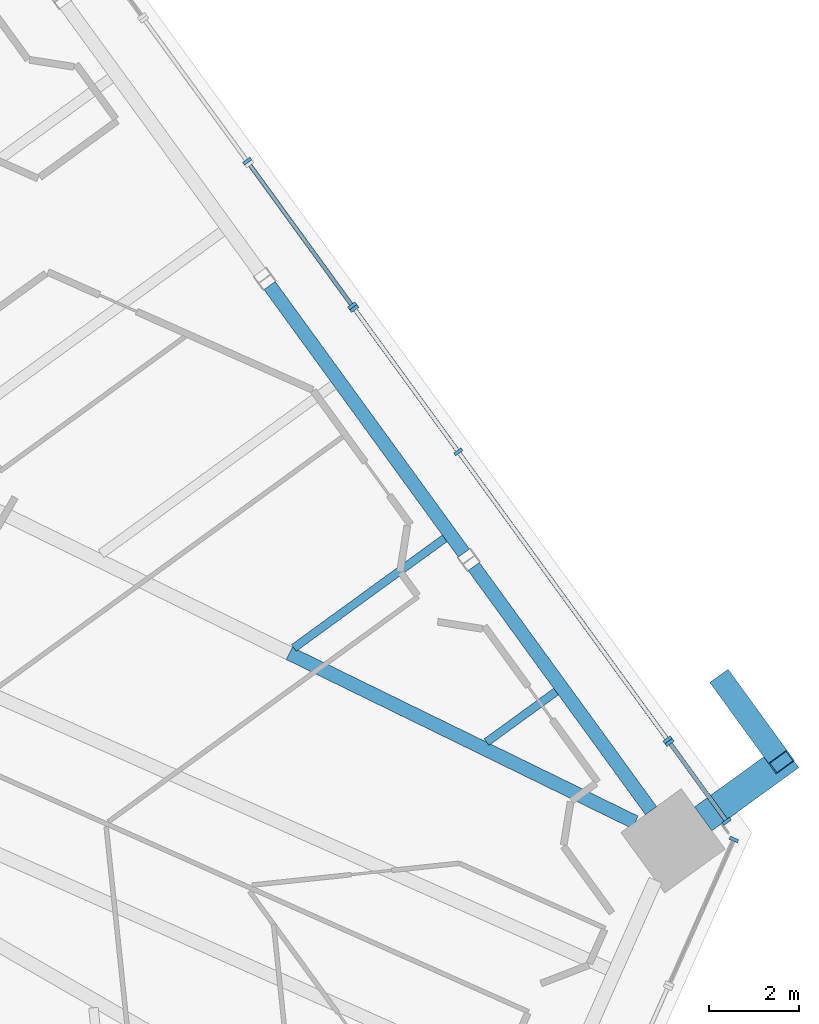
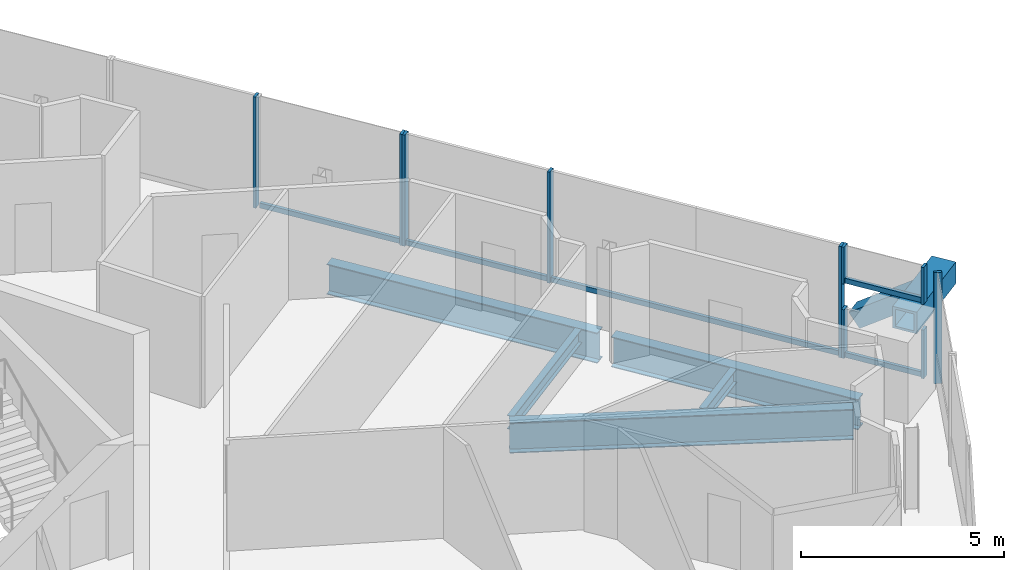
# One storey, part 8 of 26: 17 members, 5 beams, 6 elements without a shape of their own.
"""IFC4 building model written with IfcOpenShell, lengths in metres."""

from ifc_helpers import new_model, si_unit, direction, frame, origin, origin_2d, place, context, subcontext, project, spatial, rectangle, hollow_rectangle, i_section, extrude, source, transform, mapped, material, material_profile, profile_set, type_object, element, aggregate, save


model = new_model("IFC4")

# Units and contexts
model_context = context("Model", 3, precision=1e-05, world=origin(), true_north=direction((0.0, 1.0)))
body_context = subcontext(model_context, "Body", "Model", "MODEL_VIEW")
ifc_project = project(units=[si_unit("LENGTHUNIT", "METRE"), si_unit("AREAUNIT", "SQUARE_METRE"), si_unit("VOLUMEUNIT", "CUBIC_METRE"), si_unit("PLANEANGLEUNIT", "RADIAN"), si_unit("MASSUNIT", "GRAM", prefix="KILO")], contexts=[model_context])

# Site, building, storey
site_placement = place(None, origin())
site = spatial("IfcSite", under=ifc_project, at=site_placement, CompositionType="ELEMENT")
building_placement = place(site_placement, origin())
building = spatial("IfcBuilding", under=site, at=building_placement, Name="Triune Harvest Tower", CompositionType="ELEMENT")
storey_placement = place(building_placement, frame((0.0, 0.0, 252.10009765625)))
storey = spatial("IfcBuildingStorey", under=building, at=storey_placement, Name="L66", CompositionType="ELEMENT", Elevation=252.10009765625)

# Curtain wall, members
ifc_material_1 = material(Name="Aluminium bronze anodised", Category="aluminium")
curtain_wall_type_1 = type_object("IfcCurtainWallType", Name="CW-10 Balcony window wall with insulated spandrel infill", PredefinedType="NOTDEFINED", material=ifc_material_1)
curtain_wall_1_placement = place(storey_placement, origin())
curtain_wall_1 = element("IfcCurtainWall", 1, at=curtain_wall_1_placement, inside=storey, type_object=curtain_wall_type_1, Name="CW-10 B6-F1 L66 run 201")
ifc_material_2 = material(Name="Aluminium bronze anodised", Category="aluminium")
ifc_material_profile_1 = material_profile(ifc_material_2, rectangle(XDim=0.090087890625, YDim=0.14990234375, at=origin_2d()), Name="TR-6 transom 90 x 150")
ifc_profile_set_1 = profile_set([ifc_material_profile_1], Name="Aluminium bronze anodised")
member_type_1 = type_object("IfcMemberType", Name="TR-6 transom 90 x 150", PredefinedType="USERDEFINED", material=ifc_profile_set_1)
member_1_placement = place(storey_placement, frame((28.598388671875, -5.330322265625, 0.074951171875), z_axis=(-0.587791662922, 0.809012336741, 0.0), x_axis=(-0.809012336741, -0.587791662922, 0.0)))
member_1 = element("IfcMember", 2, at=member_1_placement, type_object=member_type_1, Name="CW-10 transom B6-F1 201.1", ObjectType="TRANSOM", PredefinedType="USERDEFINED", context=body_context, shape_type="SweptSolid", body=[
    extrude(rectangle(XDim=0.090087890625, YDim=0.14990234375, at=origin_2d()), origin(), (0.0, 0.0, 1.0), 7.793701171875),
])
member_2_placement = place(storey_placement, frame((23.97314453125, 1.03564453125, 0.074951171875), z_axis=(-0.587755846538, 0.809038358089, 0.0), x_axis=(-0.809038358089, -0.587755846538, 0.0)))
member_2 = element("IfcMember", 3, at=member_2_placement, type_object=member_type_1, Name="CW-10 transom B6-F1 201.2", ObjectType="TRANSOM", PredefinedType="USERDEFINED", context=body_context, shape_type="SweptSolid", body=[
    extrude(rectangle(XDim=0.090087890625, YDim=0.14990234375, at=origin_2d()), origin(), (0.0, 0.0, 1.0), 3.840576171875),
])

# Curtain wall, member
ifc_material_3 = material(Name="Aluminium bronze anodised", Category="aluminium")
curtain_wall_type_2 = type_object("IfcCurtainWallType", Name="CW-6 Balcony window wall", PredefinedType="NOTDEFINED", material=ifc_material_3)
curtain_wall_2_placement = place(storey_placement, origin())
curtain_wall_2 = element("IfcCurtainWall", 4, at=curtain_wall_2_placement, inside=storey, type_object=curtain_wall_type_2, Name="CW-6 B6-F1 L66 run 1201")
member_3_placement = place(storey_placement, frame((21.627685546875, 4.26416015625, 0.074951171875), z_axis=(-0.587789918849, 0.809013603903, 0.0), x_axis=(-0.809013603903, -0.587789918849, 0.0)))
member_3 = element("IfcMember", 5, at=member_3_placement, type_object=member_type_1, Name="CW-6 transom B6-F1 1201.1", ObjectType="TRANSOM", PredefinedType="USERDEFINED", context=body_context, shape_type="SweptSolid", body=[
    extrude(rectangle(XDim=0.090087890625, YDim=0.14990234375, at=origin_2d()), origin(), (0.0, 0.0, 1.0), 3.802978515625),
])

# Beams
ifc_material_4 = material(Name="Steel ASTM A992 Gr 50", Category="steel")
ifc_material_profile_2 = material_profile(ifc_material_4, i_section(OverallWidth=0.3046875, OverallDepth=0.914306640625, WebThickness=0.0166015625, FlangeThickness=0.02587890625, at=origin_2d()), Name="W36x160")
ifc_profile_set_2 = profile_set([ifc_material_profile_2], Name="Steel ASTM A992 Gr 50")
beam_type_1 = type_object("IfcBeamType", Name="SB-1 Spandrel beam W36x160", PredefinedType="SPANDREL", material=ifc_profile_set_2)
shared_shape_1 = source(origin(), body_context, "Body", "SweptSolid", [
    extrude(i_section(OverallWidth=0.3046875, OverallDepth=0.914306640625, WebThickness=0.0166015625, FlangeThickness=0.02587890625, at=origin_2d()), origin(), (0.0, 0.0, 1.0), 6.67041015625),
])
beam_1_placement = place(storey_placement, frame((28.256591796875, -6.927734375, -0.6171875), z_axis=(-0.587797324645, 0.80900822316, 0.0), x_axis=(-0.80900822316, -0.587797324645, 0.0)))
element("IfcBeam", 6, at=beam_1_placement, inside=storey, type_object=beam_type_1, Name="beam/L66/SB1", PredefinedType="SPANDREL", context=body_context, shape_type="MappedRepresentation", body=[
    mapped(shared_shape_1, transform((0.0, 0.0, 0.0), scale=1.0)),
])
shared_shape_2 = source(origin(), body_context, "Body", "SweptSolid", [
    extrude(i_section(OverallWidth=0.3046875, OverallDepth=0.914306640625, WebThickness=0.0166015625, FlangeThickness=0.02587890625, at=origin_2d()), origin(), (0.0, 0.0, 1.0), 7.31103515625),
])
beam_2_placement = place(storey_placement, frame((24.119384765625, -1.2333984375, -0.6171875), z_axis=(-0.587786436325, 0.809016134124, 0.0), x_axis=(-0.809016134124, -0.587786436325, 0.0)))
element("IfcBeam", 7, at=beam_2_placement, inside=storey, type_object=beam_type_1, Name="beam/L66/SB2", PredefinedType="SPANDREL", context=body_context, shape_type="MappedRepresentation", body=[
    mapped(shared_shape_2, transform((0.0, 0.0, 0.0), scale=1.0)),
])
ifc_material_5 = material(Name="Steel ASTM A992 Gr 50", Category="steel")
ifc_material_profile_3 = material_profile(ifc_material_5, i_section(OverallWidth=0.3046875, OverallDepth=0.914306640625, WebThickness=0.0166015625, FlangeThickness=0.02587890625, at=origin_2d()), Name="W36x160")
ifc_profile_set_3 = profile_set([ifc_material_profile_3], Name="Steel ASTM A992 Gr 50")
beam_type_2 = type_object("IfcBeamType", Name="HG-3 Hip girder W36x160", PredefinedType="BEAM", material=ifc_profile_set_3)
shared_shape_3 = source(origin(), body_context, "Body", "SweptSolid", [
    extrude(i_section(OverallWidth=0.3046875, OverallDepth=0.914306640625, WebThickness=0.0166015625, FlangeThickness=0.02587890625, at=origin_2d()), origin(), (0.0, 0.0, 1.0), 8.506591796875),
])
beam_3_placement = place(storey_placement, frame((27.902099609375, -7.18505859375, -0.6171875), z_axis=(-0.898516187924, 0.43894038324, 0.0), x_axis=(-0.43894038324, -0.898516187924, 0.0)))
element("IfcBeam", 8, at=beam_3_placement, inside=storey, type_object=beam_type_2, Name="beam/L66/HG1", PredefinedType="BEAM", context=body_context, shape_type="MappedRepresentation", body=[
    mapped(shared_shape_3, transform((0.0, 0.0, 0.0), scale=1.0)),
])
ifc_material_6 = material(Name="Steel ASTM A992 Gr 50", Category="steel")
ifc_material_profile_4 = material_profile(ifc_material_6, i_section(OverallWidth=0.180908203125, OverallDepth=0.41650390625, WebThickness=0.010986328125, FlangeThickness=0.01806640625, at=origin_2d()), Name="W16x57")
ifc_profile_set_4 = profile_set([ifc_material_profile_4], Name="Steel ASTM A992 Gr 50")
beam_type_3 = type_object("IfcBeamType", Name="JT-1 Floor joist W16x57", PredefinedType="JOIST", material=ifc_profile_set_4)
shared_shape_4 = source(origin(), body_context, "Body", "SweptSolid", [
    extrude(i_section(OverallWidth=0.180908203125, OverallDepth=0.41650390625, WebThickness=0.010986328125, FlangeThickness=0.01806640625, at=origin_2d()), origin(), (0.0, 0.0, 1.0), 1.89892578125),
])
beam_4_placement = place(storey_placement, frame((26.156005859375, -4.2958984375, -0.368408203125), z_axis=(-0.808980650343, -0.587835272309, 0.0), x_axis=(0.587835272309, -0.808980650343, 0.0)))
element("IfcBeam", 9, at=beam_4_placement, inside=storey, type_object=beam_type_3, Name="beam/L66/JT1", PredefinedType="JOIST", context=body_context, shape_type="MappedRepresentation", body=[
    mapped(shared_shape_4, transform((0.0, 0.0, 0.0), scale=1.0)),
])
shared_shape_5 = source(origin(), body_context, "Body", "SweptSolid", [
    extrude(i_section(OverallWidth=0.180908203125, OverallDepth=0.41650390625, WebThickness=0.010986328125, FlangeThickness=0.01806640625, at=origin_2d()), origin(), (0.0, 0.0, 1.0), 4.122802734375),
])
beam_5_placement = place(storey_placement, frame((23.69384765625, -0.906982421875, -0.368408203125), z_axis=(-0.809017670691, -0.587784321423, 0.0), x_axis=(0.587784321423, -0.809017670691, 0.0)))
element("IfcBeam", 10, at=beam_5_placement, inside=storey, type_object=beam_type_3, Name="beam/L66/JT2", PredefinedType="JOIST", context=body_context, shape_type="MappedRepresentation", body=[
    mapped(shared_shape_5, transform((0.0, 0.0, 0.0), scale=1.0)),
])

# Members
ifc_material_7 = material(Name="Steel ASTM A572 Gr 50", Category="steel")
ifc_material_profile_5 = material_profile(ifc_material_7, hollow_rectangle(XDim=0.5, YDim=0.5, WallThickness=0.030029296875, at=origin_2d()), Name="Box 500x500x30")
ifc_profile_set_5 = profile_set([ifc_material_profile_5], Name="Steel ASTM A572 Gr 50")
member_type_2 = type_object("IfcMemberType", Name="BR-3 Brace Box 500x500x30", PredefinedType="BRACE", material=ifc_profile_set_5)
shared_shape_6 = source(origin(), body_context, "Body", "SweptSolid", [
    extrude(hollow_rectangle(XDim=0.5, YDim=0.5, WallThickness=0.030029296875, at=origin_2d()), origin(), (0.0, 0.0, 1.0), 2.718994140625),
])
member_4_placement = place(storey_placement, frame((29.84228515625, -4.0654296875, 0.0), z_axis=(0.477414050778, -0.657084074402, 0.583366388547), x_axis=(0.809008489532, 0.587796958027, 0.0)))
element("IfcMember", 11, at=member_4_placement, inside=storey, type_object=member_type_2, Name="brace/B6-F1/d2/10", PredefinedType="BRACE", context=body_context, shape_type="MappedRepresentation", body=[
    mapped(shared_shape_6, transform((0.0, 0.0, 0.0), scale=1.0)),
])
ifc_material_8 = material(Name="Steel ASTM A572 Gr 50", Category="steel")
ifc_material_profile_6 = material_profile(ifc_material_8, hollow_rectangle(XDim=0.64990234375, YDim=0.64990234375, WallThickness=0.070068359375, at=origin_2d()), Name="Box 650x650x70")
ifc_profile_set_6 = profile_set([ifc_material_profile_6], Name="Steel ASTM A572 Gr 50")
member_type_3 = type_object("IfcMemberType", Name="BS-1 Brace stub Box 650x650x70", PredefinedType="STRUT", material=ifc_profile_set_6)
shared_shape_7 = source(origin(), body_context, "Body", "SweptSolid", [
    extrude(hollow_rectangle(XDim=0.64990234375, YDim=0.64990234375, WallThickness=0.070068359375, at=origin_2d()), origin(), (0.0, 0.0, 1.0), 2.375732421875),
])
member_5_placement = place(storey_placement, frame((29.40869140625, -7.110107421875, 1.849853515625), z_axis=(0.809069246517, 0.587713326665, 0.0), x_axis=(-0.587713326665, 0.809069246517, 0.0)))
element("IfcMember", 12, at=member_5_placement, inside=storey, type_object=member_type_3, Name="brace/B6-F1/stub4", PredefinedType="STRUT", context=body_context, shape_type="MappedRepresentation", body=[
    mapped(shared_shape_7, transform((0.0, 0.0, 0.0), scale=1.0)),
])

# Curtain wall, members
curtain_wall_3_placement = place(storey_placement, origin())
curtain_wall_3 = element("IfcCurtainWall", 13, at=curtain_wall_3_placement, inside=storey, type_object=curtain_wall_type_2, Name="CW-6 B6-F1 L66 run 101")
ifc_material_9 = material(Name="Aluminium bronze anodised", Category="aluminium")
ifc_material_profile_7 = material_profile(ifc_material_9, rectangle(XDim=0.199951171875, YDim=0.074951171875, at=origin_2d()), Name="MU-6 mullion 75 x 200")
ifc_profile_set_7 = profile_set([ifc_material_profile_7], Name="Aluminium bronze anodised")
member_type_4 = type_object("IfcMemberType", Name="MU-6 mullion 75 x 200", PredefinedType="MULLION", material=ifc_profile_set_7)
shared_shape_8 = source(origin(), body_context, "Body", "SweptSolid", [
    extrude(rectangle(XDim=0.199951171875, YDim=0.074951171875, at=origin_2d()), origin(), (0.0, 0.0, 1.0), 1.114990234375),
])
member_6_placement = place(storey_placement, frame((29.928955078125, -7.161865234375, 2.23486328125), z_axis=(0.0, 0.0, 1.0), x_axis=(-0.809005973668, -0.587800420695, 0.0)))
member_6 = element("IfcMember", 14, at=member_6_placement, type_object=member_type_4, Name="CW-6 mullion B6-F1 101.1", PredefinedType="MULLION", context=body_context, shape_type="MappedRepresentation", body=[
    mapped(shared_shape_8, transform((0.0, 0.0, 0.0), scale=1.0)),
])
member_7_placement = place(storey_placement, frame((28.66455078125, -5.421142578125, 2.23486328125), z_axis=(0.0, 0.0, 1.0), x_axis=(-0.809005973668, -0.587800420695, 0.0)))
member_7 = element("IfcMember", 15, at=member_7_placement, type_object=member_type_4, Name="CW-6 mullion B6-F1 101.2", PredefinedType="MULLION", context=body_context, shape_type="MappedRepresentation", body=[
    mapped(shared_shape_8, transform((0.0, 0.0, 0.0), scale=1.0)),
])

# Curtain wall, member
ifc_material_10 = material(Name="Aluminium bronze anodised", Category="aluminium")
curtain_wall_type_3 = type_object("IfcCurtainWallType", Name="CW-1 Tower stick curtain wall", PredefinedType="NOTDEFINED", material=ifc_material_10)
curtain_wall_4_placement = place(storey_placement, origin())
curtain_wall_4 = element("IfcCurtainWall", 16, at=curtain_wall_4_placement, inside=storey, type_object=curtain_wall_type_3, Name="CW-1 B6-F6 L66 run 1001")
ifc_material_11 = material(Name="Aluminium bronze anodised", Category="aluminium")
ifc_material_profile_8 = material_profile(ifc_material_11, rectangle(XDim=0.199951171875, YDim=0.074951171875, at=origin_2d()), Name="MU-1 mullion 75 x 200")
ifc_profile_set_8 = profile_set([ifc_material_profile_8], Name="Aluminium bronze anodised")
member_type_5 = type_object("IfcMemberType", Name="MU-1 mullion 75 x 200", PredefinedType="MULLION", material=ifc_profile_set_8)
shared_shape_9 = source(origin(), body_context, "Body", "SweptSolid", [
    extrude(rectangle(XDim=0.199951171875, YDim=0.074951171875, at=origin_2d()), origin(), (0.0, 0.0, 1.0), 3.349853515625),
])
member_8_placement = place(storey_placement, frame((30.08544921875, -7.56494140625, 0.0), z_axis=(0.0, 0.0, 1.0), x_axis=(-0.913539015381, 0.406751112323, 0.0)))
member_8 = element("IfcMember", 17, at=member_8_placement, type_object=member_type_5, Name="CW-1 mullion B6-F6 1001.2", PredefinedType="MULLION", context=body_context, shape_type="MappedRepresentation", body=[
    mapped(shared_shape_9, transform((0.0, 0.0, 0.0), scale=1.0)),
])
aggregate(curtain_wall_4, [member_8])

# Curtain wall, members
curtain_wall_5_placement = place(storey_placement, origin())
curtain_wall_5 = element("IfcCurtainWall", 18, at=curtain_wall_5_placement, inside=storey, type_object=curtain_wall_type_1, Name="CW-10 B6-F1 L66 run 1")
shared_shape_10 = source(origin(), body_context, "Body", "SweptSolid", [
    extrude(rectangle(XDim=0.199951171875, YDim=0.074951171875, at=origin_2d()), origin(), (0.0, 0.0, 1.0), 1.46484375),
])
member_9_placement = place(storey_placement, frame((29.928955078125, -7.161865234375, 0.0), z_axis=(0.0, 0.0, 1.0), x_axis=(-0.809005973668, -0.587800420695, 0.0)))
member_9 = element("IfcMember", 19, at=member_9_placement, type_object=member_type_4, Name="CW-10 mullion B6-F1 1.1", PredefinedType="MULLION", context=body_context, shape_type="MappedRepresentation", body=[
    mapped(shared_shape_10, transform((0.0, 0.0, 0.0), scale=1.0)),
])
member_10_placement = place(storey_placement, frame((28.66455078125, -5.421142578125, 0.0), z_axis=(0.0, 0.0, 1.0), x_axis=(-0.809005973668, -0.587800420695, 0.0)))
member_10 = element("IfcMember", 20, at=member_10_placement, type_object=member_type_4, Name="CW-10 mullion B6-F1 1.2", PredefinedType="MULLION", context=body_context, shape_type="MappedRepresentation", body=[
    mapped(shared_shape_10, transform((0.0, 0.0, 0.0), scale=1.0)),
])

# Member
shared_shape_11 = source(origin(), body_context, "Body", "SweptSolid", [
    extrude(rectangle(XDim=0.199951171875, YDim=0.074951171875, at=origin_2d()), origin(), (0.0, 0.0, 1.0), 3.349853515625),
])
member_11_placement = place(storey_placement, frame((28.620361328125, -5.360595703125, 0.0), z_axis=(0.0, 0.0, 1.0), x_axis=(-0.809015670199, -0.58778707486, 0.0)))
member_11 = element("IfcMember", 21, at=member_11_placement, type_object=member_type_4, Name="CW-10 mullion B6-F1 201.1", PredefinedType="MULLION", context=body_context, shape_type="MappedRepresentation", body=[
    mapped(shared_shape_11, transform((0.0, 0.0, 0.0), scale=1.0)),
])

member_12_placement = place(storey_placement, frame((23.995361328125, 1.00537109375, 0.0), z_axis=(0.0, 0.0, 1.0), x_axis=(-0.809015670199, -0.58778707486, 0.0)))
member_12 = element("IfcMember", 22, at=member_12_placement, type_object=member_type_4, Name="CW-10 mullion B6-F1 201.3", PredefinedType="MULLION", context=body_context, shape_type="MappedRepresentation", body=[
    mapped(shared_shape_11, transform((0.0, 0.0, 0.0), scale=1.0)),
])

member_13_placement = place(storey_placement, frame((21.69384765625, 4.173095703125, 0.0), z_axis=(0.0, 0.0, 1.0), x_axis=(-0.809015670199, -0.58778707486, 0.0)))
member_13 = element("IfcMember", 23, at=member_13_placement, type_object=member_type_4, Name="CW-10 mullion B6-F1 201.4", PredefinedType="MULLION", context=body_context, shape_type="MappedRepresentation", body=[
    mapped(shared_shape_11, transform((0.0, 0.0, 0.0), scale=1.0)),
])

aggregate(curtain_wall_1, [member_11, member_12, member_13, member_1, member_2])

member_14_placement = place(storey_placement, frame((21.649658203125, 4.233642578125, 0.0), z_axis=(0.0, 0.0, 1.0), x_axis=(-0.809023689772, -0.587776036759, 0.0)))
member_14 = element("IfcMember", 24, at=member_14_placement, type_object=member_type_4, Name="CW-6 mullion B6-F1 1201.1", PredefinedType="MULLION", context=body_context, shape_type="MappedRepresentation", body=[
    mapped(shared_shape_11, transform((0.0, 0.0, 0.0), scale=1.0)),
])

aggregate(curtain_wall_2, [member_14, member_3])

# Curtain wall, member
curtain_wall_6_placement = place(storey_placement, origin())
curtain_wall_6 = element("IfcCurtainWall", 25, at=curtain_wall_6_placement, inside=storey, type_object=curtain_wall_type_1, Name="CW-10 B6-F1 L66 run 2201")
member_15_placement = place(storey_placement, frame((19.326171875, 7.431884765625, 0.0), z_axis=(0.0, 0.0, 1.0), x_axis=(-0.809011660418, -0.587792593784, 0.0)))
member_15 = element("IfcMember", 26, at=member_15_placement, type_object=member_type_4, Name="CW-10 mullion B6-F1 2201.1", PredefinedType="MULLION", context=body_context, shape_type="MappedRepresentation", body=[
    mapped(shared_shape_11, transform((0.0, 0.0, 0.0), scale=1.0)),
])
aggregate(curtain_wall_6, [member_15])

# Member
shared_shape_12 = source(origin(), body_context, "Body", "SweptSolid", [
    extrude(rectangle(XDim=0.090087890625, YDim=0.14990234375, at=origin_2d()), origin(), (0.0, 0.0, 1.0), 2.076171875),
])
member_16_placement = place(storey_placement, frame((29.906982421875, -7.13134765625, 0.074951171875), z_axis=(-0.587815067297, 0.808995331667, 0.0), x_axis=(-0.808995331667, -0.587815067297, 0.0)))
member_16 = element("IfcMember", 27, at=member_16_placement, type_object=member_type_1, Name="CW-10 transom B6-F1 1.1", ObjectType="TRANSOM", PredefinedType="USERDEFINED", context=body_context, shape_type="MappedRepresentation", body=[
    mapped(shared_shape_12, transform((0.0, 0.0, 0.0), scale=1.0)),
])

aggregate(curtain_wall_5, [member_9, member_10, member_16])

member_17_placement = place(storey_placement, frame((29.906982421875, -7.13134765625, 2.309814453125), z_axis=(-0.587815067297, 0.808995331667, 0.0), x_axis=(-0.808995331667, -0.587815067297, 0.0)))
member_17 = element("IfcMember", 28, at=member_17_placement, type_object=member_type_1, Name="CW-6 transom B6-F1 101.1", ObjectType="TRANSOM", PredefinedType="USERDEFINED", context=body_context, shape_type="MappedRepresentation", body=[
    mapped(shared_shape_12, transform((0.0, 0.0, 0.0), scale=1.0)),
])

aggregate(curtain_wall_3, [member_6, member_7, member_17])

save(model, "model.ifc")
